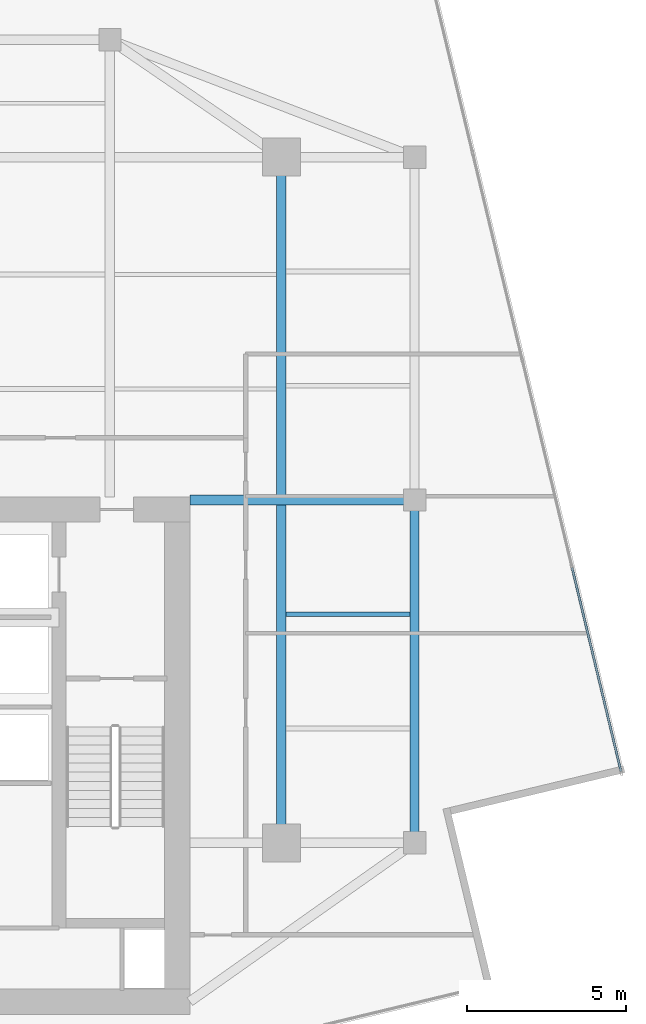
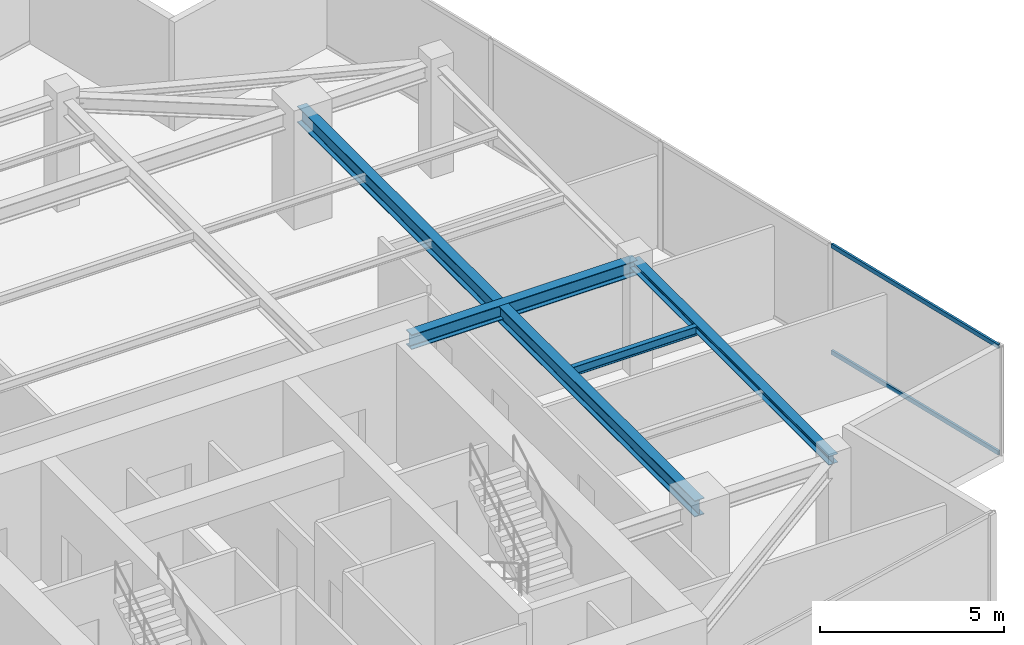
# One storey, part 10 of 22: 4 beams, 2 members, 1 element without a shape of its own.
"""IFC4 building model written with IfcOpenShell, lengths in metres."""

from ifc_helpers import new_model, si_unit, direction, frame, origin, origin_2d, place, context, subcontext, project, spatial, hollow_rectangle, i_section, extrude, source, transform, mapped, material, material_profile, profile_set, type_object, type_shapes, element, aggregate, save


model = new_model("IFC4")

# Units and contexts
model_context = context("Model", 3, precision=1e-05, world=origin(), true_north=direction((0.0, 1.0)))
body_context = subcontext(model_context, "Body", "Model", "MODEL_VIEW")
ifc_project = project(units=[si_unit("LENGTHUNIT", "METRE"), si_unit("AREAUNIT", "SQUARE_METRE"), si_unit("VOLUMEUNIT", "CUBIC_METRE"), si_unit("PLANEANGLEUNIT", "RADIAN"), si_unit("MASSUNIT", "GRAM", prefix="KILO")], contexts=[model_context])

# Site, building, storey
site_placement = place(None, origin())
site = spatial("IfcSite", under=ifc_project, at=site_placement, CompositionType="ELEMENT")
building_placement = place(site_placement, origin())
building = spatial("IfcBuilding", under=site, at=building_placement, Name="Krantzveldt Concourse Tower", CompositionType="ELEMENT")
storey_placement = place(building_placement, frame((0.0, 0.0, 359.300048828125)))
storey = spatial("IfcBuildingStorey", under=building, at=storey_placement, Name="L88", CompositionType="ELEMENT", Elevation=359.300048828125)

# Beams
ifc_material_1 = material(Name="Steel S355JR", Category="steel")
ifc_material_profile_1 = material_profile(ifc_material_1, i_section(OverallWidth=0.300048828125, OverallDepth=0.489990234375, WebThickness=0.011962890625, FlangeThickness=0.02294921875, FilletRadius=0.027099609375, at=origin_2d()), Name="Steel S355JR", Category="steel")
ifc_profile_set_1 = profile_set([ifc_material_profile_1], Name="Steel S355JR - HEA 500")
beam_type_1 = type_object("IfcBeamType", Name="BM-B-HEA500", PredefinedType="BEAM", material=ifc_profile_set_1)
shared_shape_1 = source(origin(), body_context, "Body", "SweptSolid", [
    extrude(i_section(OverallWidth=0.300048828125, OverallDepth=0.489990234375, WebThickness=0.011962890625, FlangeThickness=0.02294921875, FilletRadius=0.027099609375, at=origin_2d()), origin(), (0.0, 0.0, 1.0), 7.080078125),
])
type_shapes(beam_type_1, [shared_shape_1])
beam_1_placement = place(storey_placement, frame((43.919921875, 26.699951171875, 3.35498046875), z_axis=(1.0, 0.0, 0.0), x_axis=(0.0, 1.0, 0.0)))
element("IfcBeam", 1, at=beam_1_placement, inside=storey, type_object=beam_type_1, Name="L88 Tower Girder BG-CE2", PredefinedType="BEAM", context=body_context, shape_type="MappedRepresentation", body=[
    mapped(shared_shape_1, transform((0.0, 0.0, 0.0), x_axis=(1.0, 0.0, 0.0), y_axis=(0.0, 1.0, 0.0), z_axis=(0.0, 0.0, 1.0), scale=1.0)),
])
ifc_material_profile_2 = material_profile(ifc_material_1, i_section(OverallWidth=0.300048828125, OverallDepth=0.5400390625, WebThickness=0.012451171875, FlangeThickness=0.02392578125, FilletRadius=0.027099609375, at=origin_2d()), Name="Steel S355JR", Category="steel")
ifc_profile_set_2 = profile_set([ifc_material_profile_2], Name="Steel S355JR - HEA 550")
beam_type_2 = type_object("IfcBeamType", Name="BM-B-HEA550", PredefinedType="BEAM", material=ifc_profile_set_2)
shared_shape_2 = source(origin(), body_context, "Body", "SweptSolid", [
    extrude(i_section(OverallWidth=0.300048828125, OverallDepth=0.5400390625, WebThickness=0.012451171875, FlangeThickness=0.02392578125, FilletRadius=0.027099609375, at=origin_2d()), origin(), (0.0, 0.0, 1.0), 21.60009765625),
])
type_shapes(beam_type_2, [shared_shape_2])
beam_2_placement = place(storey_placement, frame((46.800048828125, 15.89990234375, 3.329833984375), z_axis=(0.0, 1.0, 0.0), x_axis=(-1.0, 0.0, 0.0)))
element("IfcBeam", 2, at=beam_2_placement, inside=storey, type_object=beam_type_2, Name="L88 Tower Girder BG-ME", PredefinedType="BEAM", context=body_context, shape_type="MappedRepresentation", body=[
    mapped(shared_shape_2, transform((0.0, 0.0, 0.0), x_axis=(1.0, 0.0, 0.0), y_axis=(0.0, 1.0, 0.0), z_axis=(0.0, 0.0, 1.0), scale=1.0)),
])
ifc_material_profile_3 = material_profile(ifc_material_1, i_section(OverallWidth=0.2900390625, OverallDepth=0.2900390625, WebThickness=0.008544921875, FlangeThickness=0.013916015625, FilletRadius=0.027099609375, at=origin_2d()), Name="Steel S355JR", Category="steel")
ifc_profile_set_3 = profile_set([ifc_material_profile_3], Name="Steel S355JR - HEA 300")
beam_type_3 = type_object("IfcBeamType", Name="BM-SP-HEA300", PredefinedType="SPANDREL", material=ifc_profile_set_3)
shared_shape_3 = source(origin(), body_context, "Body", "SweptSolid", [
    extrude(i_section(OverallWidth=0.2900390625, OverallDepth=0.2900390625, WebThickness=0.008544921875, FlangeThickness=0.013916015625, FilletRadius=0.027099609375, at=origin_2d()), origin(), (0.0, 0.0, 1.0), 10.800048828125),
])
type_shapes(beam_type_3, [shared_shape_3])
beam_3_placement = place(storey_placement, frame((51.0, 26.699951171875, 3.454833984375), z_axis=(0.0, -1.0, 0.0), x_axis=(1.0, 0.0, 0.0)))
element("IfcBeam", 3, at=beam_3_placement, inside=storey, type_object=beam_type_3, Name="L88 Tower Girder SP-R07", PredefinedType="SPANDREL", context=body_context, shape_type="MappedRepresentation", body=[
    mapped(shared_shape_3, transform((0.0, 0.0, 0.0), x_axis=(1.0, 0.0, 0.0), y_axis=(0.0, 1.0, 0.0), z_axis=(0.0, 0.0, 1.0), scale=1.0)),
])
ifc_material_profile_4 = material_profile(ifc_material_1, i_section(OverallWidth=0.14990234375, OverallDepth=0.300048828125, WebThickness=0.007080078125, FlangeThickness=0.0107421875, FilletRadius=0.014892578125, at=origin_2d()), Name="Steel S355JR", Category="steel")
ifc_profile_set_4 = profile_set([ifc_material_profile_4], Name="Steel S355JR - IPE 300")
beam_type_4 = type_object("IfcBeamType", Name="BM-J-IPE300", PredefinedType="JOIST", material=ifc_profile_set_4)
shared_shape_4 = source(origin(), body_context, "Body", "SweptSolid", [
    extrude(i_section(OverallWidth=0.14990234375, OverallDepth=0.300048828125, WebThickness=0.007080078125, FlangeThickness=0.0107421875, FilletRadius=0.014892578125, at=origin_2d()), origin(), (0.0, 0.0, 1.0), 3.900146484375),
])
type_shapes(beam_type_4, [shared_shape_4])
beam_4_placement = place(storey_placement, frame((46.949951171875, 23.10009765625, 3.449951171875), z_axis=(1.0, 0.0, 0.0), x_axis=(0.0, 1.0, 0.0)))
element("IfcBeam", 4, at=beam_4_placement, inside=storey, type_object=beam_type_4, Name="L88 Secondary Floor Joist JE-2", PredefinedType="JOIST", context=body_context, shape_type="MappedRepresentation", body=[
    mapped(shared_shape_4, transform((0.0, 0.0, 0.0), x_axis=(1.0, 0.0, 0.0), y_axis=(0.0, 1.0, 0.0), z_axis=(0.0, 0.0, 1.0), scale=1.0)),
])

# Curtain wall, members
ifc_material_2 = material(Name="Anodised aluminium 6063-T6", Category="aluminium")
curtain_wall_type = type_object("IfcCurtainWallType", Name="CW4", PredefinedType="USERDEFINED", material=ifc_material_2)
curtain_wall_placement = place(storey_placement, origin())
curtain_wall = element("IfcCurtainWall", 5, at=curtain_wall_placement, inside=storey, type_object=curtain_wall_type, Name="CW-L88-F10", ObjectType="UNITISED CURTAIN WALL", PredefinedType="USERDEFINED")
ifc_material_profile_5 = material_profile(ifc_material_2, hollow_rectangle(XDim=0.070068359375, YDim=0.139892578125, WallThickness=0.0048828125, at=origin_2d()), Name="Anodised aluminium 6063-T6", Category="aluminium")
ifc_profile_set_5 = profile_set([ifc_material_profile_5], Name="Anodised aluminium 6063-T6 - ALU-TRAN 140x70x5")
member_type = type_object("IfcMemberType", Name="CW-TRN-150", PredefinedType="USERDEFINED", material=ifc_profile_set_5)
shared_shape_5 = source(origin(), body_context, "Body", "SweptSolid", [
    extrude(hollow_rectangle(XDim=0.070068359375, YDim=0.139892578125, WallThickness=0.0048828125, at=origin_2d()), origin(), (0.0, 0.0, 1.0), 6.5947265625),
])
type_shapes(member_type, [shared_shape_5])
member_1_placement = place(storey_placement, frame((57.499267578125, 18.15283203125, 0.034912109375), z_axis=(-0.233448560082, 0.972369153046, 0.0), x_axis=(-0.972369153046, -0.233448560082, 0.0)))
member_1 = element("IfcMember", 6, at=member_1_placement, type_object=member_type, Name="CW-Z56 transom 1.1", ObjectType="TRANSOM", PredefinedType="USERDEFINED", context=body_context, shape_type="MappedRepresentation", body=[
    mapped(shared_shape_5, transform((0.0, 0.0, 0.0), x_axis=(1.0, 0.0, 0.0), y_axis=(0.0, 1.0, 0.0), z_axis=(0.0, 0.0, 1.0), scale=1.0)),
])
member_2_placement = place(storey_placement, frame((57.499267578125, 18.15283203125, 3.56494140625), z_axis=(-0.233448560082, 0.972369153046, 0.0), x_axis=(-0.972369153046, -0.233448560082, 0.0)))
member_2 = element("IfcMember", 7, at=member_2_placement, type_object=member_type, Name="CW-Z56 transom 1.2", ObjectType="TRANSOM", PredefinedType="USERDEFINED", context=body_context, shape_type="MappedRepresentation", body=[
    mapped(shared_shape_5, transform((0.0, 0.0, 0.0), x_axis=(1.0, 0.0, 0.0), y_axis=(0.0, 1.0, 0.0), z_axis=(0.0, 0.0, 1.0), scale=1.0)),
])
aggregate(curtain_wall, [member_1, member_2])

save(model, "model.ifc")
